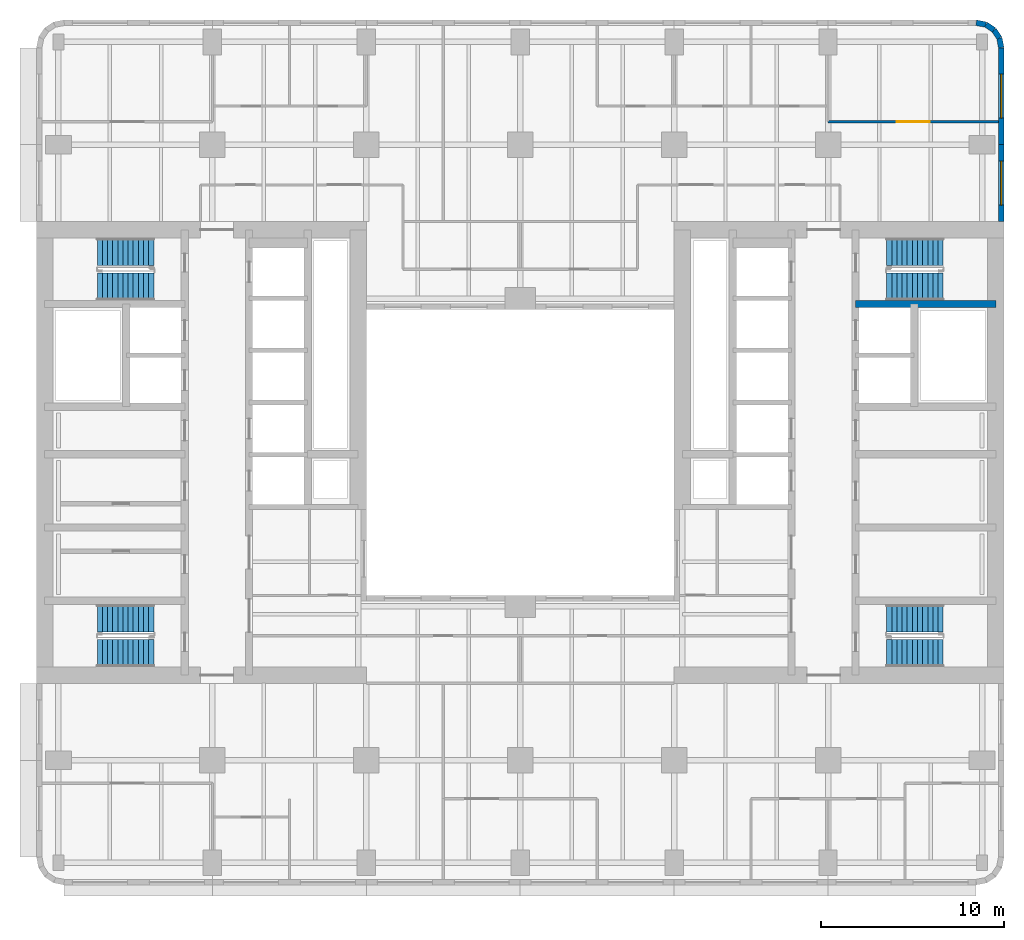
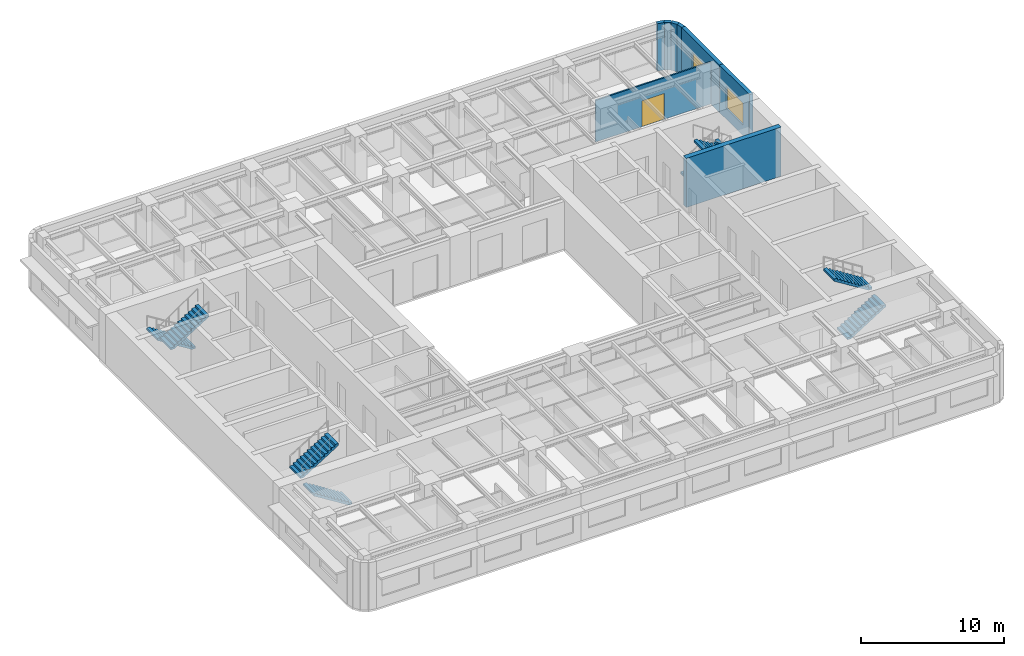
# One storey, part 8 of 11: 8 stair flights, 8 walls, 2 windows, 1 door, 3 openings, 4 elements without a shape of their own.
"""IFC4 building model written with IfcOpenShell, lengths in metres."""

from ifc_helpers import new_model, si_unit, direction, frame, frame_2d, origin, place, context, subcontext, project, spatial, polyline, rectangle, outline, extrude, material, layer, layer_set, type_object, element, fill, aggregate, save


model = new_model("IFC4")

# Units and contexts
model_context = context("Model", 3, precision=1e-05, world=origin(), true_north=direction((0.0, 1.0)))
body_context = subcontext(model_context, "Body", "Model", "MODEL_VIEW")
ifc_project = project(units=[si_unit("LENGTHUNIT", "METRE"), si_unit("AREAUNIT", "SQUARE_METRE"), si_unit("VOLUMEUNIT", "CUBIC_METRE"), si_unit("PLANEANGLEUNIT", "RADIAN"), si_unit("MASSUNIT", "GRAM", prefix="KILO")], contexts=[model_context])

# Site, building, storey
site_placement = place(None, origin())
site = spatial("IfcSite", under=ifc_project, at=site_placement, CompositionType="ELEMENT")
building_placement = place(site_placement, origin())
building = spatial("IfcBuilding", under=site, at=building_placement, Name="Claustro Exchange Tower", CompositionType="ELEMENT")
storey_placement = place(building_placement, frame((0.0, 0.0, 155.39990234375)))
storey = spatial("IfcBuildingStorey", under=building, at=storey_placement, Name="L35", CompositionType="ELEMENT", Elevation=155.39990234375)

# Wall, opening, door
ifc_material_1 = material(Name="Laminated glass in aluminium frame", Category="aluminium")
ifc_layer_1 = layer(ifc_material_1, 0.1201171875)
ifc_layer_set_1 = layer_set([ifc_layer_1], Name="Laminated glass in aluminium frame")
wall_type_1 = type_object("IfcWallType", Name="P2 120 glazed partition", PredefinedType="PARTITIONING", material=ifc_layer_set_1)
wall_1_placement = place(storey_placement, frame((42.0, 43.25, 0.0), z_axis=(0.0, 0.0, 1.0), x_axis=(1.0, 0.0, 0.0)))
wall_1 = element("IfcWall", 1, at=wall_1_placement, inside=storey, type_object=wall_type_1, Name="Partition P2 L35", PredefinedType="PARTITIONING", context=body_context, shape_type="SweptSolid", body=[
    extrude(rectangle(XDim=9.302001953125, YDim=0.1201171875, at=frame_2d((4.65087890625, 0.0))), origin(), (0.0, 0.0, 1.0), 3.550048828125),
])
opening_1_placement = place(wall_1_placement, frame((3.75, 0.0, 0.0)))
opening_1 = element("IfcOpeningElement", 2, at=opening_1_placement, cuts=wall_1, Name="Opening D2", PredefinedType="OPENING", context=body_context, shape_type="SweptSolid", body=[
    extrude(rectangle(XDim=1.800048828125, YDim=2.199951171875, at=frame_2d((0.89990234375, 1.10009765625))), frame((0.0, 0.070068359375, 0.0), z_axis=(0.0, -1.0, 0.0), x_axis=(1.0, 0.0, 0.0)), (0.0, 0.0, 1.0), 0.14013671875),
])
ifc_material_2 = material(Name="Timber door, oak veneer", Category="wood")
door_type = type_object("IfcDoorType", Name="D2 1800 x 2200 double door", OperationType="DOUBLE_DOOR_SINGLE_SWING", PredefinedType="DOOR", material=ifc_material_2)
door_placement = place(opening_1_placement, origin())
door = element("IfcDoor", 3, at=door_placement, inside=storey, type_object=door_type, Name="Double door D2 L35", OperationType="DOUBLE_DOOR_SINGLE_SWING", OverallHeight=2.199951171875, OverallWidth=1.800048828125, PredefinedType="DOOR", context=body_context, shape_type="SweptSolid", body=[
    extrude(rectangle(XDim=1.800048828125, YDim=2.199951171875, at=frame_2d((0.89990234375, 1.10009765625))), frame((0.0, 0.02490234375, 0.0), z_axis=(0.0, -1.0, 0.0), x_axis=(1.0, 0.0, 0.0)), (0.0, 0.0, 1.0), 0.050048828125),
])
fill(opening_1, door)

# Walls
ifc_material_3 = material(Name="Concrete HA-40 (C40/50), precast, white cement, acid-etched", Category="concrete")
ifc_layer_2 = layer(ifc_material_3, 0.300048828125)
ifc_layer_set_2 = layer_set([ifc_layer_2], Name="Concrete HA-40 (C40/50), precast, white cement, acid-etched")
wall_type_2 = type_object("IfcWallType", Name="PC1 300 precast concrete pier panel", PredefinedType="SOLIDWALL", material=ifc_layer_set_2)
wall_2_placement = place(storey_placement, frame((50.085205078125, 48.64990234375, 0.0), z_axis=(0.0, 0.0, 1.0), x_axis=(0.980788534345, -0.195073962632, 0.0)))
element("IfcWall", 4, at=wall_2_placement, inside=storey, type_object=wall_type_2, Name="Precast pier panel PC1 L35", PredefinedType="SOLIDWALL", context=body_context, shape_type="SweptSolid", body=[
    extrude(rectangle(XDim=0.540771484375, YDim=0.300048828125, at=frame_2d((0.2705078125, 0.0))), origin(), (0.0, 0.0, 1.0), 4.050048828125),
])
wall_3_placement = place(storey_placement, frame((50.615478515625, 48.54443359375, 0.0), z_axis=(0.0, 0.0, 1.0), x_axis=(0.831692711774, -0.555236195849, 0.0)))
element("IfcWall", 5, at=wall_3_placement, inside=storey, type_object=wall_type_2, Name="Precast pier panel PC1 L35", PredefinedType="SOLIDWALL", context=body_context, shape_type="SweptSolid", body=[
    extrude(rectangle(XDim=0.525390625, YDim=0.300048828125, at=frame_2d((0.2626953125, 0.0))), origin(), (0.0, 0.0, 1.0), 4.050048828125),
])
wall_4_placement = place(storey_placement, frame((51.052490234375, 48.252685546875, 0.0), z_axis=(0.0, 0.0, 1.0), x_axis=(0.55534295404, -0.831621430339, 0.0)))
element("IfcWall", 6, at=wall_4_placement, inside=storey, type_object=wall_type_2, Name="Precast pier panel PC1 L35", PredefinedType="SOLIDWALL", context=body_context, shape_type="SweptSolid", body=[
    extrude(rectangle(XDim=0.52587890625, YDim=0.300048828125, at=frame_2d((0.262939453125, 0.0))), origin(), (0.0, 0.0, 1.0), 4.050048828125),
])
wall_5_placement = place(storey_placement, frame((51.344482421875, 47.8154296875, 0.0), z_axis=(0.0, 0.0, 1.0), x_axis=(0.195073962632, -0.980788534345, 0.0)))
element("IfcWall", 7, at=wall_5_placement, inside=storey, type_object=wall_type_2, Name="Precast pier panel PC1 L35", PredefinedType="SOLIDWALL", context=body_context, shape_type="SweptSolid", body=[
    extrude(rectangle(XDim=0.540771484375, YDim=0.300048828125, at=frame_2d((0.2705078125, 0.0))), origin(), (0.0, 0.0, 1.0), 4.050048828125),
])

# Wall, opening, window
wall_6_placement = place(storey_placement, frame((51.449951171875, 47.28515625, 0.0), z_axis=(0.0, 0.0, 1.0), x_axis=(0.0, -1.0, 0.0)))
wall_6 = element("IfcWall", 8, at=wall_6_placement, inside=storey, type_object=wall_type_2, Name="Precast pier panel PC1 L35", PredefinedType="SOLIDWALL", context=body_context, shape_type="SweptSolid", body=[
    extrude(rectangle(XDim=5.28515625, YDim=0.300048828125, at=frame_2d((2.642578125, 0.0))), origin(), (0.0, 0.0, 1.0), 4.050048828125),
])
opening_2_placement = place(wall_6_placement, frame((1.442626953125, 0.0, 0.89990234375)))
opening_2 = element("IfcOpeningElement", 9, at=opening_2_placement, cuts=wall_6, Name="Opening W2", PredefinedType="OPENING", context=body_context, shape_type="SweptSolid", body=[
    extrude(rectangle(XDim=2.39990234375, YDim=1.89990234375, at=frame_2d((1.199951171875, 0.949951171875))), frame((0.0, 0.159912109375, 0.0), z_axis=(0.0, -1.0, 0.0), x_axis=(1.0, 0.0, 0.0)), (0.0, 0.0, 1.0), 0.320068359375),
])
ifc_material_4 = material(Name="Aluminium frame, clear double glazing", Category="aluminium")
window_type = type_object("IfcWindowType", Name="W2 2400 x 1900 window", PartitioningType="SINGLE_PANEL", PredefinedType="WINDOW", material=ifc_material_4)
window_1_placement = place(opening_2_placement, origin())
window_1 = element("IfcWindow", 10, at=window_1_placement, inside=storey, type_object=window_type, Name="Window W2 L35", OverallHeight=1.89990234375, OverallWidth=2.39990234375, PartitioningType="SINGLE_PANEL", PredefinedType="WINDOW", context=body_context, shape_type="SweptSolid", body=[
    extrude(rectangle(XDim=2.39990234375, YDim=1.89990234375, at=frame_2d((1.199951171875, 0.949951171875))), frame((0.0, 0.030029296875, 0.0), z_axis=(0.0, -1.0, 0.0), x_axis=(1.0, 0.0, 0.0)), (0.0, 0.0, 1.0), 0.06005859375),
])
fill(opening_2, window_1)

wall_7_placement = place(storey_placement, frame((51.449951171875, 42.0, 0.0), z_axis=(0.0, 0.0, 1.0), x_axis=(0.0, -1.0, 0.0)))
wall_7 = element("IfcWall", 11, at=wall_7_placement, inside=storey, type_object=wall_type_2, Name="Precast pier panel PC1 L35", PredefinedType="SOLIDWALL", context=body_context, shape_type="SweptSolid", body=[
    extrude(rectangle(XDim=4.199951171875, YDim=0.300048828125, at=frame_2d((2.10009765625, 0.0))), origin(), (0.0, 0.0, 1.0), 4.050048828125),
])
opening_3_placement = place(wall_7_placement, frame((0.89990234375, 0.0, 0.89990234375)))
opening_3 = element("IfcOpeningElement", 12, at=opening_3_placement, cuts=wall_7, Name="Opening W2", PredefinedType="OPENING", context=body_context, shape_type="SweptSolid", body=[
    extrude(rectangle(XDim=2.39990234375, YDim=1.89990234375, at=frame_2d((1.199951171875, 0.949951171875))), frame((0.0, 0.159912109375, 0.0), z_axis=(0.0, -1.0, 0.0), x_axis=(1.0, 0.0, 0.0)), (0.0, 0.0, 1.0), 0.320068359375),
])
window_2_placement = place(opening_3_placement, origin())
window_2 = element("IfcWindow", 13, at=window_2_placement, inside=storey, type_object=window_type, Name="Window W2 L35", OverallHeight=1.89990234375, OverallWidth=2.39990234375, PartitioningType="SINGLE_PANEL", PredefinedType="WINDOW", context=body_context, shape_type="SweptSolid", body=[
    extrude(rectangle(XDim=2.39990234375, YDim=1.89990234375, at=frame_2d((1.199951171875, 0.949951171875))), frame((0.0, 0.030029296875, 0.0), z_axis=(0.0, -1.0, 0.0), x_axis=(1.0, 0.0, 0.0)), (0.0, 0.0, 1.0), 0.06005859375),
])
fill(opening_3, window_2)

# Wall
ifc_material_5 = material(Name="Concrete HA-50 (C50/60)", Category="concrete")
ifc_layer_3 = layer(ifc_material_5, 0.39990234375)
ifc_layer_set_3 = layer_set([ifc_layer_3], Name="Concrete HA-50 (C50/60)")
wall_type_3 = type_object("IfcWallType", Name="SW4 400 internal core wall", PredefinedType="SHEAR", material=ifc_layer_set_3)
wall_8_placement = place(storey_placement, frame((51.14990234375, 33.300048828125, 0.0), z_axis=(0.0, 0.0, 1.0), x_axis=(-1.0, 0.0, 0.0)))
element("IfcWall", 14, at=wall_8_placement, inside=storey, type_object=wall_type_3, Name="Internal core wall SW4 E core L35", PredefinedType="SHEAR", context=body_context, shape_type="SweptSolid", body=[
    extrude(rectangle(XDim=7.64990234375, YDim=0.39990234375, at=frame_2d((3.824951171875, 0.0))), origin(), (0.0, 0.0, 1.0), 4.2001953125),
])

# Stair, stair flights
ifc_material_6 = material(Name="Concrete HA-30 (C30/37), precast", Category="concrete")
stair_type = type_object("IfcStairType", Name="ST1 half-turn stair, 24 risers of 175", PredefinedType="HALF_TURN_STAIR", material=ifc_material_6)
stair_1_placement = place(storey_placement, origin())
stair_1 = element("IfcStair", 15, at=stair_1_placement, inside=storey, type_object=stair_type, Name="Stair STWA L35", PredefinedType="HALF_TURN_STAIR")
ifc_material_7 = material(Name="Concrete HA-30 (C30/37), precast", Category="concrete")
stair_flight_type = type_object("IfcStairFlightType", Name="SF12A straight flight, 12 risers of 175, 1500 wide", PredefinedType="STRAIGHT", material=ifc_material_7)
stair_flight_1_placement = place(storey_placement, frame((5.199951171875, 14.25, 0.0), z_axis=(0.0, 0.0, 1.0), x_axis=(-1.0, 0.0, 0.0)))
stair_flight_1 = element("IfcStairFlight", 16, at=stair_flight_1_placement, type_object=stair_flight_type, Name="STWA flight 1", NumberOfRisers=12, NumberOfTreads=11, PredefinedType="STRAIGHT", RiserHeight=0.175, TreadLength=0.28, context=body_context, shape_type="SweptSolid", body=[
    extrude(outline(polyline([(0.0, 0.0), (0.0, 0.175048828125), (0.280029296875, 0.175048828125), (0.280029296875, 0.35009765625), (0.56005859375, 0.35009765625), (0.56005859375, 0.52490234375), (0.840087890625, 0.52490234375), (0.840087890625, 0.699951171875), (1.1201171875, 0.699951171875), (1.1201171875, 0.875), (1.39990234375, 0.875), (1.39990234375, 1.050048828125), (1.679931640625, 1.050048828125), (1.679931640625, 1.22509765625), (1.9599609375, 1.22509765625), (1.9599609375, 1.39990234375), (2.239990234375, 1.39990234375), (2.239990234375, 1.574951171875), (2.52001953125, 1.574951171875), (2.52001953125, 1.75), (2.800048828125, 1.75), (2.800048828125, 1.925048828125), (3.080078125, 1.925048828125), (3.080078125, 2.10009765625), (3.080078125, 1.748291015625), (0.28271484375, 0.0), (0.0, 0.0)])), frame((0.0, 0.75, 0.0), z_axis=(0.0, -1.0, 0.0), x_axis=(1.0, 0.0, 0.0)), (0.0, 0.0, 1.0), 1.5),
])
stair_flight_2_placement = place(storey_placement, frame((2.1201171875, 16.14990234375, 2.10009765625), z_axis=(0.0, 0.0, 1.0), x_axis=(1.0, 0.0, 0.0)))
stair_flight_2 = element("IfcStairFlight", 17, at=stair_flight_2_placement, type_object=stair_flight_type, Name="STWA flight 2", NumberOfRisers=12, NumberOfTreads=11, PredefinedType="STRAIGHT", RiserHeight=0.175, TreadLength=0.28, context=body_context, shape_type="SweptSolid", body=[
    extrude(outline(polyline([(0.0, 0.0), (0.0, 0.175048828125), (0.280029296875, 0.175048828125), (0.280029296875, 0.35009765625), (0.56005859375, 0.35009765625), (0.56005859375, 0.52490234375), (0.840087890625, 0.52490234375), (0.840087890625, 0.699951171875), (1.1201171875, 0.699951171875), (1.1201171875, 0.875), (1.39990234375, 0.875), (1.39990234375, 1.050048828125), (1.679931640625, 1.050048828125), (1.679931640625, 1.22509765625), (1.9599609375, 1.22509765625), (1.9599609375, 1.39990234375), (2.239990234375, 1.39990234375), (2.239990234375, 1.574951171875), (2.52001953125, 1.574951171875), (2.52001953125, 1.75), (2.800048828125, 1.75), (2.800048828125, 1.925048828125), (3.080078125, 1.925048828125), (3.080078125, 2.10009765625), (3.080078125, 1.748291015625), (0.28271484375, 0.0), (0.0, 0.0)])), frame((0.0, 0.75, 0.0), z_axis=(0.0, -1.0, 0.0), x_axis=(1.0, 0.0, 0.0)), (0.0, 0.0, 1.0), 1.5),
])
aggregate(stair_1, [stair_flight_1, stair_flight_2])

stair_2_placement = place(storey_placement, origin())
stair_2 = element("IfcStair", 18, at=stair_2_placement, inside=storey, type_object=stair_type, Name="Stair STWB L35", PredefinedType="HALF_TURN_STAIR")
stair_flight_3_placement = place(storey_placement, frame((5.199951171875, 36.14990234375, 0.0), z_axis=(0.0, 0.0, 1.0), x_axis=(-1.0, 0.0, 0.0)))
stair_flight_3 = element("IfcStairFlight", 19, at=stair_flight_3_placement, type_object=stair_flight_type, Name="STWB flight 1", NumberOfRisers=12, NumberOfTreads=11, PredefinedType="STRAIGHT", RiserHeight=0.175, TreadLength=0.28, context=body_context, shape_type="SweptSolid", body=[
    extrude(outline(polyline([(0.0, 0.0), (0.0, 0.175048828125), (0.280029296875, 0.175048828125), (0.280029296875, 0.35009765625), (0.56005859375, 0.35009765625), (0.56005859375, 0.52490234375), (0.840087890625, 0.52490234375), (0.840087890625, 0.699951171875), (1.1201171875, 0.699951171875), (1.1201171875, 0.875), (1.39990234375, 0.875), (1.39990234375, 1.050048828125), (1.679931640625, 1.050048828125), (1.679931640625, 1.22509765625), (1.9599609375, 1.22509765625), (1.9599609375, 1.39990234375), (2.239990234375, 1.39990234375), (2.239990234375, 1.574951171875), (2.52001953125, 1.574951171875), (2.52001953125, 1.75), (2.800048828125, 1.75), (2.800048828125, 1.925048828125), (3.080078125, 1.925048828125), (3.080078125, 2.10009765625), (3.080078125, 1.748291015625), (0.28271484375, 0.0), (0.0, 0.0)])), frame((0.0, 0.75, 0.0), z_axis=(0.0, -1.0, 0.0), x_axis=(1.0, 0.0, 0.0)), (0.0, 0.0, 1.0), 1.5),
])
stair_flight_4_placement = place(storey_placement, frame((2.1201171875, 34.25, 2.10009765625), z_axis=(0.0, 0.0, 1.0), x_axis=(1.0, 0.0, 0.0)))
stair_flight_4 = element("IfcStairFlight", 20, at=stair_flight_4_placement, type_object=stair_flight_type, Name="STWB flight 2", NumberOfRisers=12, NumberOfTreads=11, PredefinedType="STRAIGHT", RiserHeight=0.175, TreadLength=0.28, context=body_context, shape_type="SweptSolid", body=[
    extrude(outline(polyline([(0.0, 0.0), (0.0, 0.175048828125), (0.280029296875, 0.175048828125), (0.280029296875, 0.35009765625), (0.56005859375, 0.35009765625), (0.56005859375, 0.52490234375), (0.840087890625, 0.52490234375), (0.840087890625, 0.699951171875), (1.1201171875, 0.699951171875), (1.1201171875, 0.875), (1.39990234375, 0.875), (1.39990234375, 1.050048828125), (1.679931640625, 1.050048828125), (1.679931640625, 1.22509765625), (1.9599609375, 1.22509765625), (1.9599609375, 1.39990234375), (2.239990234375, 1.39990234375), (2.239990234375, 1.574951171875), (2.52001953125, 1.574951171875), (2.52001953125, 1.75), (2.800048828125, 1.75), (2.800048828125, 1.925048828125), (3.080078125, 1.925048828125), (3.080078125, 2.10009765625), (3.080078125, 1.748291015625), (0.28271484375, 0.0), (0.0, 0.0)])), frame((0.0, 0.75, 0.0), z_axis=(0.0, -1.0, 0.0), x_axis=(1.0, 0.0, 0.0)), (0.0, 0.0, 1.0), 1.5),
])
aggregate(stair_2, [stair_flight_3, stair_flight_4])

stair_3_placement = place(storey_placement, origin())
stair_3 = element("IfcStair", 21, at=stair_3_placement, inside=storey, type_object=stair_type, Name="Stair STEA L35", PredefinedType="HALF_TURN_STAIR")
stair_flight_5_placement = place(storey_placement, frame((45.199951171875, 14.25, 0.0), z_axis=(0.0, 0.0, 1.0), x_axis=(1.0, 0.0, 0.0)))
stair_flight_5 = element("IfcStairFlight", 22, at=stair_flight_5_placement, type_object=stair_flight_type, Name="STEA flight 1", NumberOfRisers=12, NumberOfTreads=11, PredefinedType="STRAIGHT", RiserHeight=0.175, TreadLength=0.28, context=body_context, shape_type="SweptSolid", body=[
    extrude(outline(polyline([(0.0, 0.0), (0.0, 0.175048828125), (0.280029296875, 0.175048828125), (0.280029296875, 0.35009765625), (0.56005859375, 0.35009765625), (0.56005859375, 0.52490234375), (0.840087890625, 0.52490234375), (0.840087890625, 0.699951171875), (1.1201171875, 0.699951171875), (1.1201171875, 0.875), (1.39990234375, 0.875), (1.39990234375, 1.050048828125), (1.679931640625, 1.050048828125), (1.679931640625, 1.22509765625), (1.9599609375, 1.22509765625), (1.9599609375, 1.39990234375), (2.239990234375, 1.39990234375), (2.239990234375, 1.574951171875), (2.52001953125, 1.574951171875), (2.52001953125, 1.75), (2.800048828125, 1.75), (2.800048828125, 1.925048828125), (3.080078125, 1.925048828125), (3.080078125, 2.10009765625), (3.080078125, 1.748291015625), (0.28271484375, 0.0), (0.0, 0.0)])), frame((0.0, 0.75, 0.0), z_axis=(0.0, -1.0, 0.0), x_axis=(1.0, 0.0, 0.0)), (0.0, 0.0, 1.0), 1.5),
])
stair_flight_6_placement = place(storey_placement, frame((48.280029296875, 16.14990234375, 2.10009765625), z_axis=(0.0, 0.0, 1.0), x_axis=(-1.0, 0.0, 0.0)))
stair_flight_6 = element("IfcStairFlight", 23, at=stair_flight_6_placement, type_object=stair_flight_type, Name="STEA flight 2", NumberOfRisers=12, NumberOfTreads=11, PredefinedType="STRAIGHT", RiserHeight=0.175, TreadLength=0.28, context=body_context, shape_type="SweptSolid", body=[
    extrude(outline(polyline([(0.0, 0.0), (0.0, 0.175048828125), (0.280029296875, 0.175048828125), (0.280029296875, 0.35009765625), (0.56005859375, 0.35009765625), (0.56005859375, 0.52490234375), (0.840087890625, 0.52490234375), (0.840087890625, 0.699951171875), (1.1201171875, 0.699951171875), (1.1201171875, 0.875), (1.39990234375, 0.875), (1.39990234375, 1.050048828125), (1.679931640625, 1.050048828125), (1.679931640625, 1.22509765625), (1.9599609375, 1.22509765625), (1.9599609375, 1.39990234375), (2.239990234375, 1.39990234375), (2.239990234375, 1.574951171875), (2.52001953125, 1.574951171875), (2.52001953125, 1.75), (2.800048828125, 1.75), (2.800048828125, 1.925048828125), (3.080078125, 1.925048828125), (3.080078125, 2.10009765625), (3.080078125, 1.748291015625), (0.28271484375, 0.0), (0.0, 0.0)])), frame((0.0, 0.75, 0.0), z_axis=(0.0, -1.0, 0.0), x_axis=(1.0, 0.0, 0.0)), (0.0, 0.0, 1.0), 1.5),
])
aggregate(stair_3, [stair_flight_5, stair_flight_6])

stair_4_placement = place(storey_placement, origin())
stair_4 = element("IfcStair", 24, at=stair_4_placement, inside=storey, type_object=stair_type, Name="Stair STEB L35", PredefinedType="HALF_TURN_STAIR")
stair_flight_7_placement = place(storey_placement, frame((45.199951171875, 36.14990234375, 0.0), z_axis=(0.0, 0.0, 1.0), x_axis=(1.0, 0.0, 0.0)))
stair_flight_7 = element("IfcStairFlight", 25, at=stair_flight_7_placement, type_object=stair_flight_type, Name="STEB flight 1", NumberOfRisers=12, NumberOfTreads=11, PredefinedType="STRAIGHT", RiserHeight=0.175, TreadLength=0.28, context=body_context, shape_type="SweptSolid", body=[
    extrude(outline(polyline([(0.0, 0.0), (0.0, 0.175048828125), (0.280029296875, 0.175048828125), (0.280029296875, 0.35009765625), (0.56005859375, 0.35009765625), (0.56005859375, 0.52490234375), (0.840087890625, 0.52490234375), (0.840087890625, 0.699951171875), (1.1201171875, 0.699951171875), (1.1201171875, 0.875), (1.39990234375, 0.875), (1.39990234375, 1.050048828125), (1.679931640625, 1.050048828125), (1.679931640625, 1.22509765625), (1.9599609375, 1.22509765625), (1.9599609375, 1.39990234375), (2.239990234375, 1.39990234375), (2.239990234375, 1.574951171875), (2.52001953125, 1.574951171875), (2.52001953125, 1.75), (2.800048828125, 1.75), (2.800048828125, 1.925048828125), (3.080078125, 1.925048828125), (3.080078125, 2.10009765625), (3.080078125, 1.748291015625), (0.28271484375, 0.0), (0.0, 0.0)])), frame((0.0, 0.75, 0.0), z_axis=(0.0, -1.0, 0.0), x_axis=(1.0, 0.0, 0.0)), (0.0, 0.0, 1.0), 1.5),
])
stair_flight_8_placement = place(storey_placement, frame((48.280029296875, 34.25, 2.10009765625), z_axis=(0.0, 0.0, 1.0), x_axis=(-1.0, 0.0, 0.0)))
stair_flight_8 = element("IfcStairFlight", 26, at=stair_flight_8_placement, type_object=stair_flight_type, Name="STEB flight 2", NumberOfRisers=12, NumberOfTreads=11, PredefinedType="STRAIGHT", RiserHeight=0.175, TreadLength=0.28, context=body_context, shape_type="SweptSolid", body=[
    extrude(outline(polyline([(0.0, 0.0), (0.0, 0.175048828125), (0.280029296875, 0.175048828125), (0.280029296875, 0.35009765625), (0.56005859375, 0.35009765625), (0.56005859375, 0.52490234375), (0.840087890625, 0.52490234375), (0.840087890625, 0.699951171875), (1.1201171875, 0.699951171875), (1.1201171875, 0.875), (1.39990234375, 0.875), (1.39990234375, 1.050048828125), (1.679931640625, 1.050048828125), (1.679931640625, 1.22509765625), (1.9599609375, 1.22509765625), (1.9599609375, 1.39990234375), (2.239990234375, 1.39990234375), (2.239990234375, 1.574951171875), (2.52001953125, 1.574951171875), (2.52001953125, 1.75), (2.800048828125, 1.75), (2.800048828125, 1.925048828125), (3.080078125, 1.925048828125), (3.080078125, 2.10009765625), (3.080078125, 1.748291015625), (0.28271484375, 0.0), (0.0, 0.0)])), frame((0.0, 0.75, 0.0), z_axis=(0.0, -1.0, 0.0), x_axis=(1.0, 0.0, 0.0)), (0.0, 0.0, 1.0), 1.5),
])
aggregate(stair_4, [stair_flight_7, stair_flight_8])

save(model, "model.ifc")
